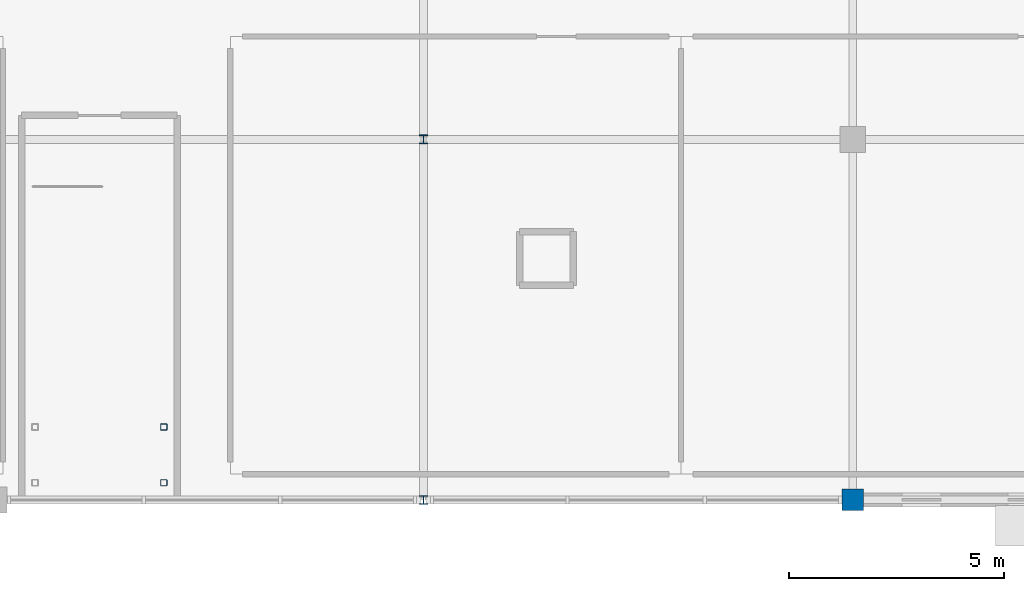
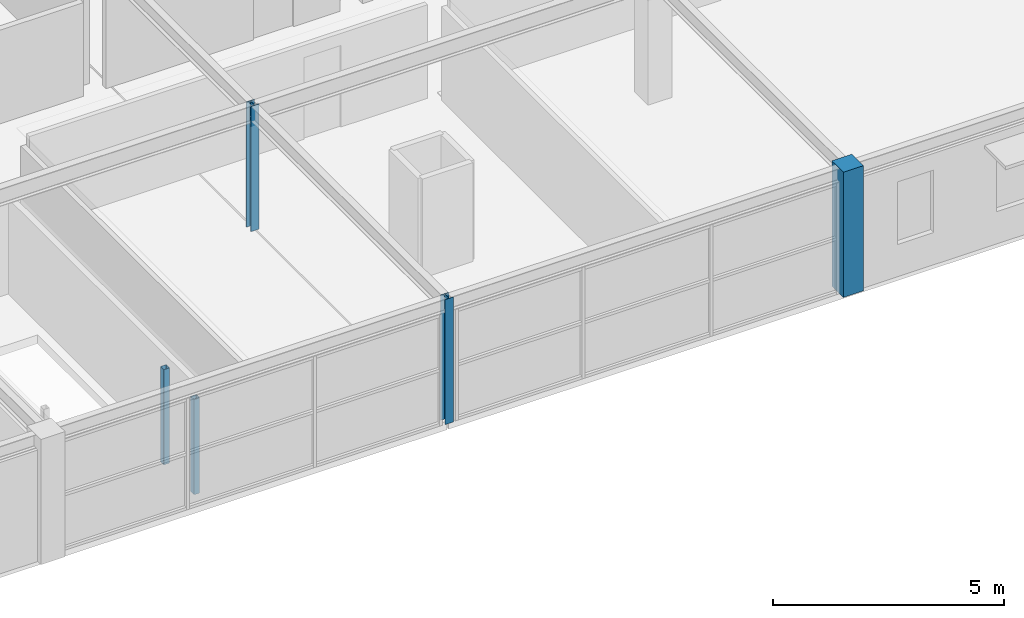
# One storey, part 3 of 12: 5 columns.
"""IFC4 building model written with IfcOpenShell, lengths in metres."""

from ifc_helpers import new_model, si_unit, derived_unit, direction, frame, origin, origin_2d_with_axis, place, context, subcontext, project, spatial, rectangle, hollow_rectangle, i_section, extrude, material, material_profile, profile_set, type_object, element, save


model = new_model("IFC4")

# Units and contexts
model_context = context("Model", 3, precision=1e-05, world=origin(), true_north=direction((0.0, 1.0)))
body_context = subcontext(model_context, "Body", "Model", "MODEL_VIEW")
ifc_project = project(units=[si_unit("LENGTHUNIT", "METRE"), si_unit("AREAUNIT", "SQUARE_METRE"), si_unit("VOLUMEUNIT", "CUBIC_METRE"), si_unit("PLANEANGLEUNIT", "RADIAN"), si_unit("MASSUNIT", "GRAM", prefix="KILO"), derived_unit("THERMALTRANSMITTANCEUNIT", [(si_unit("POWERUNIT", "WATT"), 1), (si_unit("LENGTHUNIT", "METRE"), -2), (si_unit("THERMODYNAMICTEMPERATUREUNIT", "KELVIN"), -1)])], contexts=[model_context])

# Site, building, storey
site_placement = place(None, origin())
site = spatial("IfcSite", under=ifc_project, at=site_placement, CompositionType="ELEMENT")
building_placement = place(site_placement, origin())
building = spatial("IfcBuilding", under=site, at=building_placement, Name="Cinnabar Yard Market Hall", CompositionType="ELEMENT")
storey_placement = place(building_placement, frame((0.0, 0.0, 15.300048828125)))
storey = spatial("IfcBuildingStorey", under=building, at=storey_placement, Name="L04", CompositionType="ELEMENT", Elevation=15.300048828125)

# Columns
ifc_material_1 = material(Name="Steel Grade 300 (300 MPa)", Category="steel")
ifc_material_profile_1 = material_profile(ifc_material_1, i_section(OverallWidth=0.203369140625, OverallDepth=0.203369140625, WebThickness=0.00732421875, FlangeThickness=0.010986328125, FilletRadius=0.011474609375, at=origin_2d_with_axis()), Name="200UC46.2")
ifc_profile_set_1 = profile_set([ifc_material_profile_1], Name="Steel Grade 300 (300 MPa)")
column_type_1 = type_object("IfcColumnType", Name="COL-C13E", PredefinedType="COLUMN", material=ifc_profile_set_1)
column_1_placement = place(storey_placement, frame((116.0, 112.800048828125, 0.0), z_axis=(0.0, 0.0, 1.0), x_axis=(1.0, 0.0, 0.0)))
element("IfcColumn", 1, at=column_1_placement, inside=storey, type_object=column_type_1, Name="Belvedere Column V3-06-02 L04", PredefinedType="COLUMN", context=body_context, shape_type="SweptSolid", body=[
    extrude(i_section(OverallWidth=0.203369140625, OverallDepth=0.203369140625, WebThickness=0.00732421875, FlangeThickness=0.010986328125, FilletRadius=0.011474609375, at=origin_2d_with_axis()), origin(), (0.0, 0.0, 1.0), 3.300048828125),
])
ifc_material_2 = material(Name="Cold-formed steel C350L0", Category="steel")
ifc_material_profile_2 = material_profile(ifc_material_2, hollow_rectangle(XDim=0.14990234375, YDim=0.14990234375, WallThickness=0.006103515625, InnerFilletRadius=0.006103515625, OuterFilletRadius=0.011962890625, at=origin_2d_with_axis()), Name="150x150x6.0SHS")
ifc_profile_set_2 = profile_set([ifc_material_profile_2], Name="Cold-formed steel C350L0")
column_type_2 = type_object("IfcColumnType", Name="COL-C16", PredefinedType="COLUMN", material=ifc_profile_set_2)
for number, where, z_axis, x_axis, name in (
    (2, (109.949951171875, 113.199951171875, 0.0), (0.0, 0.0, 1.0), (1.0, 0.0, 0.0), "Feature Stair Cap Post ST-F4-2"),
    (3, (109.949951171875, 114.5, 0.0), (0.0, 0.0, 1.0), (1.0, 0.0, 0.0), "Feature Stair Cap Post ST-F4-4"),
):
    element("IfcColumn", number, at=place(storey_placement, frame(where, z_axis=z_axis, x_axis=x_axis)), inside=storey, type_object=column_type_2, Name=name, PredefinedType="COLUMN", context=body_context, shape_type="SweptSolid", body=[
        extrude(hollow_rectangle(XDim=0.14990234375, YDim=0.14990234375, WallThickness=0.006103515625, InnerFilletRadius=0.006103515625, OuterFilletRadius=0.011962890625, at=origin_2d_with_axis()), origin(), (0.0, 0.0, 1.0), 2.510009765625),
    ])
ifc_material_profile_3 = material_profile(ifc_material_1, i_section(OverallWidth=0.205078125, OverallDepth=0.209716796875, WebThickness=0.00927734375, FlangeThickness=0.01416015625, FilletRadius=0.011474609375, at=origin_2d_with_axis()), Name="200UC59.5")
ifc_profile_set_3 = profile_set([ifc_material_profile_3], Name="Steel Grade 300 (300 MPa)")
column_type_3 = type_object("IfcColumnType", Name="COL-C17", PredefinedType="COLUMN", material=ifc_profile_set_3)
column_2_placement = place(storey_placement, frame((116.0, 121.199951171875, 0.0), z_axis=(0.0, 0.0, 1.0), x_axis=(1.0, 0.0, 0.0)))
element("IfcColumn", 4, at=column_2_placement, inside=storey, type_object=column_type_3, Name="Belvedere Column V3-06-03 L04", PredefinedType="COLUMN", context=body_context, shape_type="SweptSolid", body=[
    extrude(i_section(OverallWidth=0.205078125, OverallDepth=0.209716796875, WebThickness=0.00927734375, FlangeThickness=0.01416015625, FilletRadius=0.011474609375, at=origin_2d_with_axis()), origin(), (0.0, 0.0, 1.0), 3.300048828125),
])
ifc_material_3 = material(Name="Concrete 40 MPa", Category="concrete")
ifc_material_profile_4 = material_profile(ifc_material_3, rectangle(XDim=0.5, YDim=0.5, at=origin_2d_with_axis()), Name="RC-500x500")
ifc_profile_set_4 = profile_set([ifc_material_profile_4], Name="Concrete 40 MPa")
column_type_4 = type_object("IfcColumnType", Name="COL-RC1E", PredefinedType="COLUMN", material=ifc_profile_set_4)
column_3_placement = place(storey_placement, frame((126.0, 112.800048828125, 0.0), z_axis=(0.0, 0.0, 1.0), x_axis=(1.0, 0.0, 0.0)))
element("IfcColumn", 5, at=column_3_placement, inside=storey, type_object=column_type_4, Name="Belvedere Column V3-07-02 L04", PredefinedType="COLUMN", context=body_context, shape_type="SweptSolid", body=[
    extrude(rectangle(XDim=0.5, YDim=0.5, at=origin_2d_with_axis()), origin(), (0.0, 0.0, 1.0), 3.300048828125),
])

save(model, "model.ifc")
